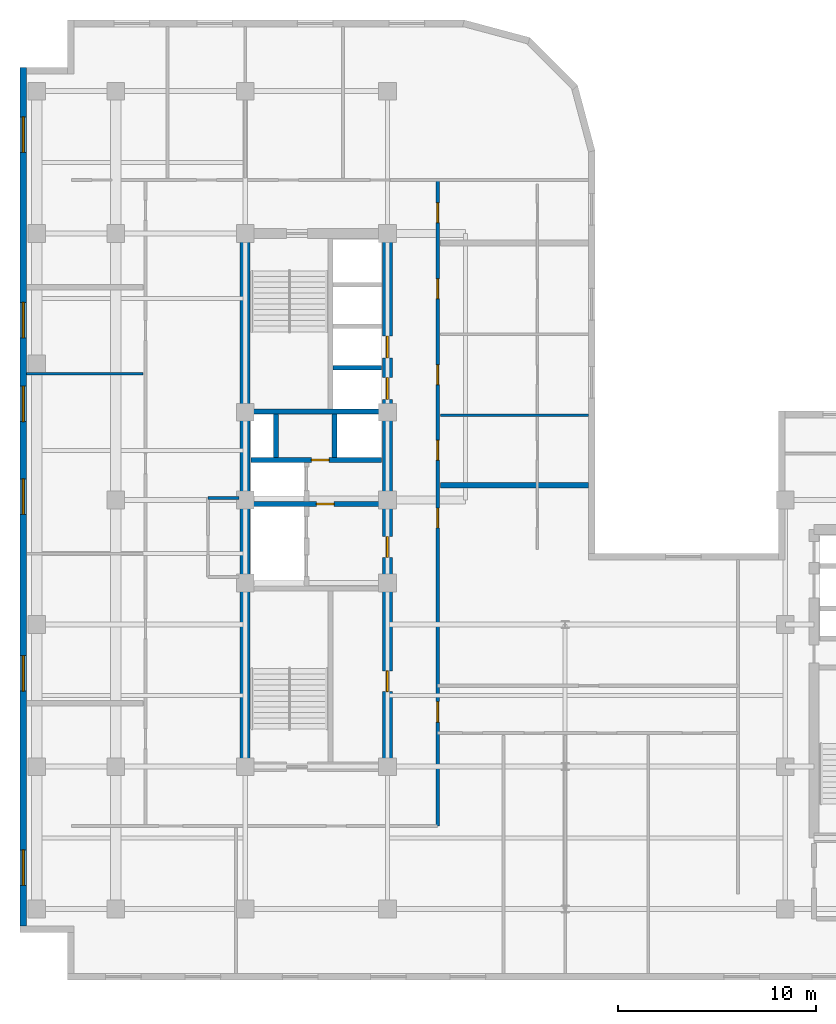
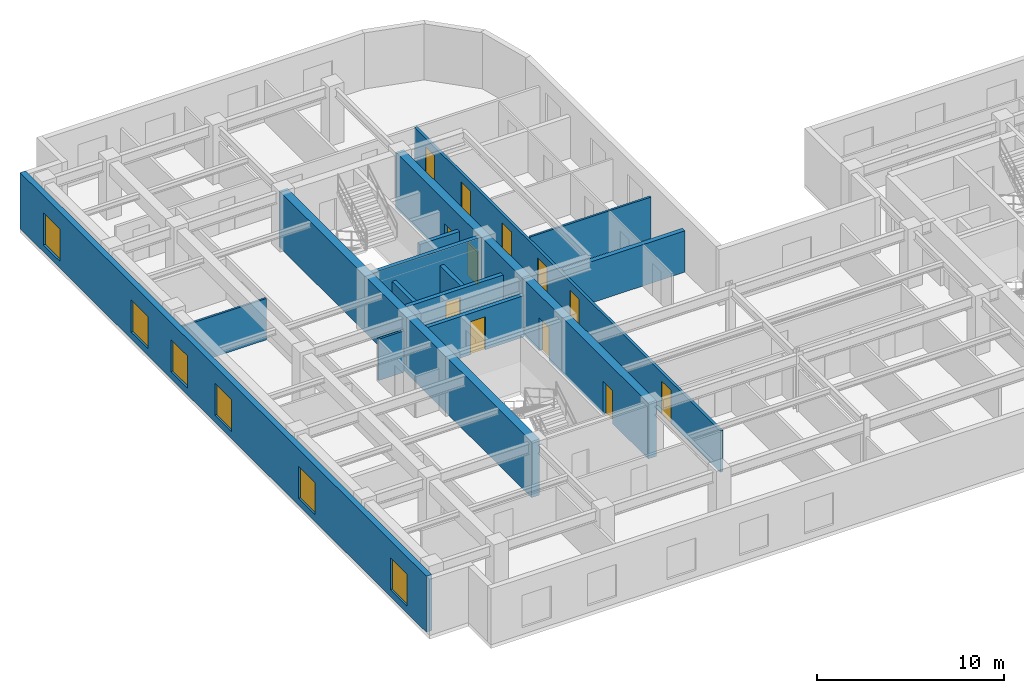
# One storey, part 5 of 11: 15 walls, 12 doors, 6 windows, 18 openings.
"""IFC4 building model written with IfcOpenShell, lengths in metres."""

from ifc_helpers import new_model, entity, si_unit, converted_unit, direction, frame, origin_with_axes, origin_2d_with_axis, place, context, subcontext, project, spatial, polyline, rectangle, outline, extrude, material, layer, layer_set, type_object, element, fill, save


model = new_model("IFC4")

# Units and contexts
model_context = context("Model", 3, precision=1e-05, world=origin_with_axes(), true_north=direction((0.0, 1.0)))
body_context = subcontext(model_context, "Body", "Model", "MODEL_VIEW")
ifc_project = project(units=[si_unit("LENGTHUNIT", "METRE"), si_unit("AREAUNIT", "SQUARE_METRE"), si_unit("VOLUMEUNIT", "CUBIC_METRE"), converted_unit("PLANEANGLEUNIT", "DEGREE", entity("IfcPlaneAngleMeasure", 0.017453292519943295), si_unit("PLANEANGLEUNIT", "RADIAN"), dimensions=[0, 0, 0, 0, 0, 0, 0]), si_unit("MASSUNIT", "GRAM", prefix="KILO"), si_unit("THERMODYNAMICTEMPERATUREUNIT", "KELVIN")], contexts=[model_context])

# Site, building, storey
site_placement = place(None, origin_with_axes())
site = spatial("IfcSite", under=ifc_project, at=site_placement, CompositionType="ELEMENT")
building_placement = place(site_placement, origin_with_axes())
building = spatial("IfcBuilding", under=site, at=building_placement, Name="Varnlund Millrace Tower", CompositionType="ELEMENT")
storey_placement = place(building_placement, frame((0.0, 0.0, 200.4), z_axis=(0.0, 0.0, 1.0), x_axis=(1.0, 0.0, 0.0)))
storey = spatial("IfcBuildingStorey", under=building, at=storey_placement, Name="L49", CompositionType="ELEMENT", Elevation=200.4)

# Wall
ifc_material_1 = material(Name="Concrete C70/85", Category="concrete")
ifc_layer_1 = layer(ifc_material_1, 0.5, Name="Concrete C70/85")
ifc_layer_set_1 = layer_set([ifc_layer_1], Name="Concrete C70/85")
wall_type_1 = type_object("IfcWallType", Name="Type-CoreWall-Shear-500-C70", PredefinedType="SHEAR", material=ifc_layer_set_1)
wall_1_placement = place(storey_placement, frame((11.4, 10.8, 0.0), z_axis=(0.0, 0.0, 1.0), x_axis=(0.0, 1.0, 0.0)))
element("IfcWall", 1, at=wall_1_placement, inside=storey, type_object=wall_type_1, Name="Type-CoreWall-Shear-500-C70", PredefinedType="SHEAR", context=body_context, shape_type="SweptSolid", body=[
    extrude(outline(polyline([(0.0, -0.25), (27.0, -0.25), (27.0, 0.25), (0.0, 0.25), (0.0, -0.25)])), origin_with_axes(), (0.0, 0.0, 1.0), 3.66),
])

# Wall, openings, doors
wall_2_placement = place(storey_placement, frame((18.6, 10.8, 0.0), z_axis=(0.0, 0.0, 1.0), x_axis=(0.0, 1.0, 0.0)))
wall_2 = element("IfcWall", 2, at=wall_2_placement, inside=storey, type_object=wall_type_1, Name="Type-CoreWall-Shear-500-C70", PredefinedType="SHEAR", context=body_context, shape_type="SweptSolid", body=[
    extrude(outline(polyline([(0.0, -0.25), (13.5, -0.25), (13.5, 0.25), (0.0, 0.25), (0.0, -0.25)])), origin_with_axes(), (0.0, 0.0, 1.0), 3.66),
])
opening_1_placement = place(wall_2_placement, frame((11.125, 0.0, 0.0), z_axis=(0.0, 0.0, 1.0), x_axis=(1.0, 0.0, 0.0)))
opening_1 = element("IfcOpeningElement", 3, at=opening_1_placement, cuts=wall_2, Name="Opening L49:DR-FFLOB-A", PredefinedType="OPENING", context=body_context, shape_type="SweptSolid", body=[
    extrude(rectangle(XDim=1.05, YDim=0.52, at=origin_2d_with_axis()), origin_with_axes(), (0.0, 0.0, 1.0), 2.15),
])
opening_2_placement = place(wall_2_placement, frame((4.325, 0.0, 0.0), z_axis=(0.0, 0.0, 1.0), x_axis=(1.0, 0.0, 0.0)))
opening_2 = element("IfcOpeningElement", 4, at=opening_2_placement, cuts=wall_2, Name="Opening L49:DR-RECL-A1", PredefinedType="OPENING", context=body_context, shape_type="SweptSolid", body=[
    extrude(rectangle(XDim=1.05, YDim=0.52, at=origin_2d_with_axis()), origin_with_axes(), (0.0, 0.0, 1.0), 2.15),
])
ifc_material_2 = material(Name="Smoke-barrier hollow steel fire door", Category="steel")
door_type_1 = type_object("IfcDoorType", Name="Type-FireDoor-Lobby-1050X2150", OperationType="NOTDEFINED", PredefinedType="DOOR", material=ifc_material_2)
door_1_placement = place(wall_2_placement, frame((11.125, 0.0, 0.0), z_axis=(0.0, 0.0, 1.0), x_axis=(1.0, 0.0, 0.0)))
door_1 = element("IfcDoor", 5, at=door_1_placement, inside=storey, type_object=door_type_1, Name="Type-FireDoor-Lobby-1050X2150", OperationType="SINGLE_SWING_LEFT", OverallHeight=2.15, OverallWidth=1.05, PredefinedType="DOOR", context=body_context, shape_type="SweptSolid", body=[
    extrude(rectangle(XDim=1.05, YDim=0.09, at=origin_2d_with_axis()), origin_with_axes(), (0.0, 0.0, 1.0), 2.15),
])
fill(opening_1, door_1)
door_2_placement = place(wall_2_placement, frame((4.325, 0.0, 0.0), z_axis=(0.0, 0.0, 1.0), x_axis=(1.0, 0.0, 0.0)))
door_2 = element("IfcDoor", 6, at=door_2_placement, inside=storey, type_object=door_type_1, Name="Type-FireDoor-Lobby-1050X2150", OperationType="SINGLE_SWING_LEFT", OverallHeight=2.15, OverallWidth=1.05, PredefinedType="DOOR", context=body_context, shape_type="SweptSolid", body=[
    extrude(rectangle(XDim=1.05, YDim=0.09, at=origin_2d_with_axis()), origin_with_axes(), (0.0, 0.0, 1.0), 2.15),
])
fill(opening_2, door_2)

wall_3_placement = place(storey_placement, frame((18.6, 24.3, 0.0), z_axis=(0.0, 0.0, 1.0), x_axis=(0.0, 1.0, 0.0)))
wall_3 = element("IfcWall", 7, at=wall_3_placement, inside=storey, type_object=wall_type_1, Name="Type-CoreWall-Shear-500-C70", PredefinedType="SHEAR", context=body_context, shape_type="SweptSolid", body=[
    extrude(outline(polyline([(0.0, -0.25), (13.5, -0.25), (13.5, 0.25), (0.0, 0.25), (0.0, -0.25)])), origin_with_axes(), (0.0, 0.0, 1.0), 3.66),
])
opening_3_placement = place(wall_3_placement, frame((5.65, 0.0, 0.0), z_axis=(0.0, 0.0, 1.0), x_axis=(1.0, 0.0, 0.0)))
opening_3 = element("IfcOpeningElement", 8, at=opening_3_placement, cuts=wall_3, Name="Opening L49:LD-ELV-M1", PredefinedType="OPENING", context=body_context, shape_type="SweptSolid", body=[
    extrude(rectangle(XDim=1.1, YDim=0.52, at=origin_2d_with_axis()), origin_with_axes(), (0.0, 0.0, 1.0), 2.15),
])
opening_4_placement = place(wall_3_placement, frame((7.75, 0.0, 0.0), z_axis=(0.0, 0.0, 1.0), x_axis=(1.0, 0.0, 0.0)))
opening_4 = element("IfcOpeningElement", 9, at=opening_4_placement, cuts=wall_3, Name="Opening L49:LD-ELV-M2", PredefinedType="OPENING", context=body_context, shape_type="SweptSolid", body=[
    extrude(rectangle(XDim=1.1, YDim=0.52, at=origin_2d_with_axis()), origin_with_axes(), (0.0, 0.0, 1.0), 2.15),
])
ifc_material_3 = material(Name="Stainless and architectural bronze sliding landing door")
door_type_2 = type_object("IfcDoorType", Name="Type-LiftLandingDoor-1100X2150", OperationType="NOTDEFINED", PredefinedType="DOOR", material=ifc_material_3)
door_3_placement = place(wall_3_placement, frame((5.65, 0.0, 0.0), z_axis=(0.0, 0.0, 1.0), x_axis=(1.0, 0.0, 0.0)))
door_3 = element("IfcDoor", 10, at=door_3_placement, inside=storey, type_object=door_type_2, Name="Type-LiftLandingDoor-1100X2150", OperationType="SLIDING_TO_LEFT", OverallHeight=2.15, OverallWidth=1.1, PredefinedType="DOOR", context=body_context, shape_type="SweptSolid", body=[
    extrude(rectangle(XDim=1.1, YDim=0.09, at=origin_2d_with_axis()), origin_with_axes(), (0.0, 0.0, 1.0), 2.15),
])
fill(opening_3, door_3)
door_4_placement = place(wall_3_placement, frame((7.75, 0.0, 0.0), z_axis=(0.0, 0.0, 1.0), x_axis=(1.0, 0.0, 0.0)))
door_4 = element("IfcDoor", 11, at=door_4_placement, inside=storey, type_object=door_type_2, Name="Type-LiftLandingDoor-1100X2150", OperationType="SLIDING_TO_RIGHT", OverallHeight=2.15, OverallWidth=1.1, PredefinedType="DOOR", context=body_context, shape_type="SweptSolid", body=[
    extrude(rectangle(XDim=1.1, YDim=0.09, at=origin_2d_with_axis()), origin_with_axes(), (0.0, 0.0, 1.0), 2.15),
])
fill(opening_4, door_4)

# Wall, openings, windows
ifc_material_4 = material(Name="Precast concrete C50/60", Category="concrete")
ifc_layer_2 = layer(ifc_material_4, 0.34, Name="Precast concrete C50/60")
ifc_layer_set_2 = layer_set([ifc_layer_2], Name="Precast concrete C50/60")
wall_type_2 = type_object("IfcWallType", Name="Type-ExtWall-Precast-Upper-340", PredefinedType="SOLIDWALL", material=ifc_layer_set_2)
wall_4_placement = place(storey_placement, frame((0.17, 2.74, 0.0), z_axis=(0.0, 0.0, 1.0), x_axis=(0.0, 1.0, 0.0)))
wall_4 = element("IfcWall", 12, at=wall_4_placement, inside=storey, type_object=wall_type_2, Name="Type-ExtWall-Precast-Upper-340", PredefinedType="SOLIDWALL", context=body_context, shape_type="SweptSolid", body=[
    extrude(outline(polyline([(0.0, -0.17), (43.46, -0.17), (43.46, 0.17), (0.0, 0.17), (0.0, -0.17)])), origin_with_axes(), (0.0, 0.0, 1.0), 3.66),
])
opening_5_placement = place(wall_4_placement, frame((2.948, 0.0, 0.45), z_axis=(0.0, 0.0, 1.0), x_axis=(1.0, 0.0, 0.0)))
opening_5 = element("IfcOpeningElement", 13, at=opening_5_placement, cuts=wall_4, Name="Opening L49:WN-16", PredefinedType="OPENING", context=body_context, shape_type="SweptSolid", body=[
    extrude(rectangle(XDim=1.8, YDim=0.36, at=origin_2d_with_axis()), origin_with_axes(), (0.0, 0.0, 1.0), 2.1),
])
opening_6_placement = place(wall_4_placement, frame((12.789, 0.0, 0.45), z_axis=(0.0, 0.0, 1.0), x_axis=(1.0, 0.0, 0.0)))
opening_6 = element("IfcOpeningElement", 14, at=opening_6_placement, cuts=wall_4, Name="Opening L49:WN-17", PredefinedType="OPENING", context=body_context, shape_type="SweptSolid", body=[
    extrude(rectangle(XDim=1.8, YDim=0.36, at=origin_2d_with_axis()), origin_with_axes(), (0.0, 0.0, 1.0), 2.1),
])
opening_7_placement = place(wall_4_placement, frame((21.73, 0.0, 0.45), z_axis=(0.0, 0.0, 1.0), x_axis=(1.0, 0.0, 0.0)))
opening_7 = element("IfcOpeningElement", 15, at=opening_7_placement, cuts=wall_4, Name="Opening L49:WN-18", PredefinedType="OPENING", context=body_context, shape_type="SweptSolid", body=[
    extrude(rectangle(XDim=1.8, YDim=0.36, at=origin_2d_with_axis()), origin_with_axes(), (0.0, 0.0, 1.0), 2.1),
])
opening_8_placement = place(wall_4_placement, frame((26.426, 0.0, 0.45), z_axis=(0.0, 0.0, 1.0), x_axis=(1.0, 0.0, 0.0)))
opening_8 = element("IfcOpeningElement", 16, at=opening_8_placement, cuts=wall_4, Name="Opening L49:WN-19", PredefinedType="OPENING", context=body_context, shape_type="SweptSolid", body=[
    extrude(rectangle(XDim=1.8, YDim=0.36, at=origin_2d_with_axis()), origin_with_axes(), (0.0, 0.0, 1.0), 2.1),
])
opening_9_placement = place(wall_4_placement, frame((30.671, 0.0, 0.45), z_axis=(0.0, 0.0, 1.0), x_axis=(1.0, 0.0, 0.0)))
opening_9 = element("IfcOpeningElement", 17, at=opening_9_placement, cuts=wall_4, Name="Opening L49:WN-20", PredefinedType="OPENING", context=body_context, shape_type="SweptSolid", body=[
    extrude(rectangle(XDim=1.8, YDim=0.36, at=origin_2d_with_axis()), origin_with_axes(), (0.0, 0.0, 1.0), 2.1),
])
opening_10_placement = place(wall_4_placement, frame((40.062, 0.0, 0.45), z_axis=(0.0, 0.0, 1.0), x_axis=(1.0, 0.0, 0.0)))
opening_10 = element("IfcOpeningElement", 18, at=opening_10_placement, cuts=wall_4, Name="Opening L49:WN-21", PredefinedType="OPENING", context=body_context, shape_type="SweptSolid", body=[
    extrude(rectangle(XDim=1.8, YDim=0.36, at=origin_2d_with_axis()), origin_with_axes(), (0.0, 0.0, 1.0), 2.1),
])
ifc_material_5 = material(Name="Argon low-e triple glazing in thermally broken bronze frame", Category="glass")
window_type = type_object("IfcWindowType", Name="Type-Window-Punched-1800X2100", PartitioningType="SINGLE_PANEL", PredefinedType="WINDOW", material=ifc_material_5)
window_1_placement = place(wall_4_placement, frame((2.948, 0.0, 0.45), z_axis=(0.0, 0.0, 1.0), x_axis=(1.0, 0.0, 0.0)))
window_1 = element("IfcWindow", 19, at=window_1_placement, inside=storey, type_object=window_type, Name="Type-Window-Punched-1800X2100", OverallHeight=2.1, OverallWidth=1.8, PredefinedType="WINDOW", context=body_context, shape_type="SweptSolid", body=[
    extrude(rectangle(XDim=1.8, YDim=0.09, at=origin_2d_with_axis()), origin_with_axes(), (0.0, 0.0, 1.0), 2.1),
])
fill(opening_5, window_1)
window_2_placement = place(wall_4_placement, frame((12.789, 0.0, 0.45), z_axis=(0.0, 0.0, 1.0), x_axis=(1.0, 0.0, 0.0)))
window_2 = element("IfcWindow", 20, at=window_2_placement, inside=storey, type_object=window_type, Name="Type-Window-Punched-1800X2100", OverallHeight=2.1, OverallWidth=1.8, PredefinedType="WINDOW", context=body_context, shape_type="SweptSolid", body=[
    extrude(rectangle(XDim=1.8, YDim=0.09, at=origin_2d_with_axis()), origin_with_axes(), (0.0, 0.0, 1.0), 2.1),
])
fill(opening_6, window_2)
window_3_placement = place(wall_4_placement, frame((21.73, 0.0, 0.45), z_axis=(0.0, 0.0, 1.0), x_axis=(1.0, 0.0, 0.0)))
window_3 = element("IfcWindow", 21, at=window_3_placement, inside=storey, type_object=window_type, Name="Type-Window-Punched-1800X2100", OverallHeight=2.1, OverallWidth=1.8, PredefinedType="WINDOW", context=body_context, shape_type="SweptSolid", body=[
    extrude(rectangle(XDim=1.8, YDim=0.09, at=origin_2d_with_axis()), origin_with_axes(), (0.0, 0.0, 1.0), 2.1),
])
fill(opening_7, window_3)
window_4_placement = place(wall_4_placement, frame((26.426, 0.0, 0.45), z_axis=(0.0, 0.0, 1.0), x_axis=(1.0, 0.0, 0.0)))
window_4 = element("IfcWindow", 22, at=window_4_placement, inside=storey, type_object=window_type, Name="Type-Window-Punched-1800X2100", OverallHeight=2.1, OverallWidth=1.8, PredefinedType="WINDOW", context=body_context, shape_type="SweptSolid", body=[
    extrude(rectangle(XDim=1.8, YDim=0.09, at=origin_2d_with_axis()), origin_with_axes(), (0.0, 0.0, 1.0), 2.1),
])
fill(opening_8, window_4)
window_5_placement = place(wall_4_placement, frame((30.671, 0.0, 0.45), z_axis=(0.0, 0.0, 1.0), x_axis=(1.0, 0.0, 0.0)))
window_5 = element("IfcWindow", 23, at=window_5_placement, inside=storey, type_object=window_type, Name="Type-Window-Punched-1800X2100", OverallHeight=2.1, OverallWidth=1.8, PredefinedType="WINDOW", context=body_context, shape_type="SweptSolid", body=[
    extrude(rectangle(XDim=1.8, YDim=0.09, at=origin_2d_with_axis()), origin_with_axes(), (0.0, 0.0, 1.0), 2.1),
])
fill(opening_9, window_5)
window_6_placement = place(wall_4_placement, frame((40.062, 0.0, 0.45), z_axis=(0.0, 0.0, 1.0), x_axis=(1.0, 0.0, 0.0)))
window_6 = element("IfcWindow", 24, at=window_6_placement, inside=storey, type_object=window_type, Name="Type-Window-Punched-1800X2100", OverallHeight=2.1, OverallWidth=1.8, PredefinedType="WINDOW", context=body_context, shape_type="SweptSolid", body=[
    extrude(rectangle(XDim=1.8, YDim=0.09, at=origin_2d_with_axis()), origin_with_axes(), (0.0, 0.0, 1.0), 2.1),
])
fill(opening_10, window_6)

# Wall
ifc_material_6 = material(Name="Double-stud STC-60 conference acoustic partition", Category="gypsum")
ifc_layer_3 = layer(ifc_material_6, 0.28, Name="Double-stud STC-60 conference acoustic partition")
ifc_layer_set_3 = layer_set([ifc_layer_3], Name="Double-stud STC-60 conference acoustic partition")
wall_type_3 = type_object("IfcWallType", Name="Type-Partition-Acoustic-280", PredefinedType="PARTITIONING", material=ifc_layer_set_3)
wall_5_placement = place(storey_placement, frame((21.3, 25.049, 0.0), z_axis=(0.0, 0.0, 1.0), x_axis=(1.0, 0.0, 0.0)))
element("IfcWall", 25, at=wall_5_placement, inside=storey, type_object=wall_type_3, Name="Type-Partition-Acoustic-280", PredefinedType="PARTITIONING", context=body_context, shape_type="SweptSolid", body=[
    extrude(outline(polyline([(0.0, -0.14), (7.477, -0.14), (7.477, 0.14), (0.0, 0.14), (0.0, -0.14)])), origin_with_axes(), (0.0, 0.0, 1.0), 2.7),
])

# Wall, openings, doors
ifc_material_7 = material(Name="Fire-rated gypsum board on cold-formed steel framing", Category="steel")
ifc_layer_4 = layer(ifc_material_7, 0.16, Name="Fire-rated gypsum board on cold-formed steel framing")
ifc_layer_set_4 = layer_set([ifc_layer_4], Name="Fire-rated gypsum board on cold-formed steel framing")
wall_type_4 = type_object("IfcWallType", Name="Type-Partition-Corridor-160", PredefinedType="PARTITIONING", material=ifc_layer_set_4)
wall_6_placement = place(storey_placement, frame((21.15, 7.8, 0.0), z_axis=(0.0, 0.0, 1.0), x_axis=(0.0, 1.0, 0.0)))
wall_6 = element("IfcWall", 26, at=wall_6_placement, inside=storey, type_object=wall_type_4, Name="Type-Partition-Corridor-160", PredefinedType="PARTITIONING", context=body_context, shape_type="SweptSolid", body=[
    extrude(outline(polyline([(0.0, -0.08), (32.7, -0.08), (32.7, 0.08), (0.0, 0.08), (0.0, -0.08)])), origin_with_axes(), (0.0, 0.0, 1.0), 2.7),
])
opening_11_placement = place(wall_6_placement, frame((15.5895, 0.0, 0.0), z_axis=(0.0, 0.0, 1.0), x_axis=(1.0, 0.0, 0.0)))
opening_11 = element("IfcOpeningElement", 27, at=opening_11_placement, cuts=wall_6, Name="Opening L49:DR-FLR-01", PredefinedType="OPENING", context=body_context, shape_type="SweptSolid", body=[
    extrude(rectangle(XDim=1.0, YDim=0.18, at=origin_2d_with_axis()), origin_with_axes(), (0.0, 0.0, 1.0), 2.15),
])
opening_12_placement = place(wall_6_placement, frame((19.026, 0.0, 0.0), z_axis=(0.0, 0.0, 1.0), x_axis=(1.0, 0.0, 0.0)))
opening_12 = element("IfcOpeningElement", 28, at=opening_12_placement, cuts=wall_6, Name="Opening L49:DR-FLR-02", PredefinedType="OPENING", context=body_context, shape_type="SweptSolid", body=[
    extrude(rectangle(XDim=1.0, YDim=0.18, at=origin_2d_with_axis()), origin_with_axes(), (0.0, 0.0, 1.0), 2.15),
])
opening_13_placement = place(wall_6_placement, frame((22.849, 0.0, 0.0), z_axis=(0.0, 0.0, 1.0), x_axis=(1.0, 0.0, 0.0)))
opening_13 = element("IfcOpeningElement", 29, at=opening_13_placement, cuts=wall_6, Name="Opening L49:DR-FLR-03", PredefinedType="OPENING", context=body_context, shape_type="SweptSolid", body=[
    extrude(rectangle(XDim=1.0, YDim=0.18, at=origin_2d_with_axis()), origin_with_axes(), (0.0, 0.0, 1.0), 2.15),
])
opening_14_placement = place(wall_6_placement, frame((27.2045, 0.0, 0.0), z_axis=(0.0, 0.0, 1.0), x_axis=(1.0, 0.0, 0.0)))
opening_14 = element("IfcOpeningElement", 30, at=opening_14_placement, cuts=wall_6, Name="Opening L49:DR-FLR-04", PredefinedType="OPENING", context=body_context, shape_type="SweptSolid", body=[
    extrude(rectangle(XDim=1.0, YDim=0.18, at=origin_2d_with_axis()), origin_with_axes(), (0.0, 0.0, 1.0), 2.15),
])
opening_15_placement = place(wall_6_placement, frame((31.042, 0.0, 0.0), z_axis=(0.0, 0.0, 1.0), x_axis=(1.0, 0.0, 0.0)))
opening_15 = element("IfcOpeningElement", 31, at=opening_15_placement, cuts=wall_6, Name="Opening L49:DR-FLR-05", PredefinedType="OPENING", context=body_context, shape_type="SweptSolid", body=[
    extrude(rectangle(XDim=1.0, YDim=0.18, at=origin_2d_with_axis()), origin_with_axes(), (0.0, 0.0, 1.0), 2.15),
])
opening_16_placement = place(wall_6_placement, frame((5.775, 0.0, 0.0), z_axis=(0.0, 0.0, 1.0), x_axis=(1.0, 0.0, 0.0)))
opening_16 = element("IfcOpeningElement", 32, at=opening_16_placement, cuts=wall_6, Name="Opening L49:DR-KN-W", PredefinedType="OPENING", context=body_context, shape_type="SweptSolid", body=[
    extrude(rectangle(XDim=1.05, YDim=0.18, at=origin_2d_with_axis()), origin_with_axes(), (0.0, 0.0, 1.0), 2.15),
])
door_5_placement = place(wall_6_placement, frame((5.775, 0.0, 0.0), z_axis=(0.0, 0.0, 1.0), x_axis=(1.0, 0.0, 0.0)))
door_5 = element("IfcDoor", 33, at=door_5_placement, inside=storey, type_object=door_type_1, Name="Type-FireDoor-Lobby-1050X2150", OperationType="SINGLE_SWING_LEFT", OverallHeight=2.15, OverallWidth=1.05, PredefinedType="DOOR", context=body_context, shape_type="SweptSolid", body=[
    extrude(rectangle(XDim=1.05, YDim=0.09, at=origin_2d_with_axis()), origin_with_axes(), (0.0, 0.0, 1.0), 2.15),
])
fill(opening_16, door_5)
ifc_material_8 = material(Name="Solid-core white oak and bronze frame door")
door_type_3 = type_object("IfcDoorType", Name="Type-IntDoor-Office-1000X2150", OperationType="NOTDEFINED", PredefinedType="DOOR", material=ifc_material_8)
door_6_placement = place(wall_6_placement, frame((15.5895, 0.0, 0.0), z_axis=(0.0, 0.0, 1.0), x_axis=(1.0, 0.0, 0.0)))
door_6 = element("IfcDoor", 34, at=door_6_placement, inside=storey, type_object=door_type_3, Name="Type-IntDoor-Office-1000X2150", OperationType="SINGLE_SWING_LEFT", OverallHeight=2.15, OverallWidth=1.0, PredefinedType="DOOR", context=body_context, shape_type="SweptSolid", body=[
    extrude(rectangle(XDim=1.0, YDim=0.09, at=origin_2d_with_axis()), origin_with_axes(), (0.0, 0.0, 1.0), 2.15),
])
fill(opening_11, door_6)
door_7_placement = place(wall_6_placement, frame((19.026, 0.0, 0.0), z_axis=(0.0, 0.0, 1.0), x_axis=(1.0, 0.0, 0.0)))
door_7 = element("IfcDoor", 35, at=door_7_placement, inside=storey, type_object=door_type_3, Name="Type-IntDoor-Office-1000X2150", OperationType="SINGLE_SWING_RIGHT", OverallHeight=2.15, OverallWidth=1.0, PredefinedType="DOOR", context=body_context, shape_type="SweptSolid", body=[
    extrude(rectangle(XDim=1.0, YDim=0.09, at=origin_2d_with_axis()), origin_with_axes(), (0.0, 0.0, 1.0), 2.15),
])
fill(opening_12, door_7)
door_8_placement = place(wall_6_placement, frame((22.849, 0.0, 0.0), z_axis=(0.0, 0.0, 1.0), x_axis=(1.0, 0.0, 0.0)))
door_8 = element("IfcDoor", 36, at=door_8_placement, inside=storey, type_object=door_type_3, Name="Type-IntDoor-Office-1000X2150", OperationType="SINGLE_SWING_LEFT", OverallHeight=2.15, OverallWidth=1.0, PredefinedType="DOOR", context=body_context, shape_type="SweptSolid", body=[
    extrude(rectangle(XDim=1.0, YDim=0.09, at=origin_2d_with_axis()), origin_with_axes(), (0.0, 0.0, 1.0), 2.15),
])
fill(opening_13, door_8)
door_9_placement = place(wall_6_placement, frame((27.2045, 0.0, 0.0), z_axis=(0.0, 0.0, 1.0), x_axis=(1.0, 0.0, 0.0)))
door_9 = element("IfcDoor", 37, at=door_9_placement, inside=storey, type_object=door_type_3, Name="Type-IntDoor-Office-1000X2150", OperationType="SINGLE_SWING_RIGHT", OverallHeight=2.15, OverallWidth=1.0, PredefinedType="DOOR", context=body_context, shape_type="SweptSolid", body=[
    extrude(rectangle(XDim=1.0, YDim=0.09, at=origin_2d_with_axis()), origin_with_axes(), (0.0, 0.0, 1.0), 2.15),
])
fill(opening_14, door_9)
door_10_placement = place(wall_6_placement, frame((31.042, 0.0, 0.0), z_axis=(0.0, 0.0, 1.0), x_axis=(1.0, 0.0, 0.0)))
door_10 = element("IfcDoor", 38, at=door_10_placement, inside=storey, type_object=door_type_3, Name="Type-IntDoor-Office-1000X2150", OperationType="SINGLE_SWING_LEFT", OverallHeight=2.15, OverallWidth=1.0, PredefinedType="DOOR", context=body_context, shape_type="SweptSolid", body=[
    extrude(rectangle(XDim=1.0, YDim=0.09, at=origin_2d_with_axis()), origin_with_axes(), (0.0, 0.0, 1.0), 2.15),
])
fill(opening_15, door_10)

# Walls
ifc_material_9 = material(Name="Gypsum board tenant partition", Category="gypsum")
ifc_layer_5 = layer(ifc_material_9, 0.125, Name="Gypsum board tenant partition")
ifc_layer_set_5 = layer_set([ifc_layer_5], Name="Gypsum board tenant partition")
wall_type_5 = type_object("IfcWallType", Name="Type-Partition-Tenant-125", PredefinedType="PARTITIONING", material=ifc_layer_set_5)
wall_7_placement = place(storey_placement, frame((0.335, 30.692, 0.0), z_axis=(0.0, 0.0, 1.0), x_axis=(1.0, 0.0, 0.0)))
element("IfcWall", 39, at=wall_7_placement, inside=storey, type_object=wall_type_5, Name="Type-Partition-Tenant-125", PredefinedType="PARTITIONING", context=body_context, shape_type="SweptSolid", body=[
    extrude(outline(polyline([(0.0, -0.0625), (5.895, -0.0625), (5.895, 0.0625), (0.0, 0.0625), (0.0, -0.0625)])), origin_with_axes(), (0.0, 0.0, 1.0), 2.7),
])
wall_8_placement = place(storey_placement, frame((21.3, 28.603, 0.0), z_axis=(0.0, 0.0, 1.0), x_axis=(1.0, 0.0, 0.0)))
element("IfcWall", 40, at=wall_8_placement, inside=storey, type_object=wall_type_5, Name="Type-Partition-Tenant-125", PredefinedType="PARTITIONING", context=body_context, shape_type="SweptSolid", body=[
    extrude(outline(polyline([(0.0, -0.0625), (7.477, -0.0625), (7.477, 0.0625), (0.0, 0.0625), (0.0, -0.0625)])), origin_with_axes(), (0.0, 0.0, 1.0), 2.7),
])
ifc_material_10 = material(Name="Moisture-resistant gypsum restroom partition", Category="gypsum")
ifc_layer_6 = layer(ifc_material_10, 0.14, Name="Moisture-resistant gypsum restroom partition")
ifc_layer_set_6 = layer_set([ifc_layer_6], Name="Moisture-resistant gypsum restroom partition")
wall_type_6 = type_object("IfcWallType", Name="Type-Partition-Wet-140", PredefinedType="PARTITIONING", material=ifc_layer_set_6)
wall_9_placement = place(storey_placement, frame((9.52, 24.4, 0.0), z_axis=(0.0, 0.0, 1.0), x_axis=(1.0, 0.0, 0.0)))
element("IfcWall", 41, at=wall_9_placement, inside=storey, type_object=wall_type_6, Name="Type-Partition-Wet-140", PredefinedType="PARTITIONING", context=body_context, shape_type="SweptSolid", body=[
    extrude(outline(polyline([(0.0, -0.07), (1.58, -0.07), (1.58, 0.07), (0.0, 0.07), (0.0, -0.07)])), origin_with_axes(), (0.0, 0.0, 1.0), 2.7),
])

# Wall, opening, door
ifc_material_11 = material(Name="Concrete C60/75", Category="concrete")
ifc_layer_7 = layer(ifc_material_11, 0.25, Name="Concrete C60/75")
ifc_layer_set_7 = layer_set([ifc_layer_7], Name="Concrete C60/75")
wall_type_7 = type_object("IfcWallType", Name="Type-ShaftWall-Fire-250", PredefinedType="SOLIDWALL", material=ifc_layer_set_7)
wall_10_placement = place(storey_placement, frame((11.7, 24.1, 0.0), z_axis=(0.0, 0.0, 1.0), x_axis=(1.0, 0.0, 0.0)))
wall_10 = element("IfcWall", 42, at=wall_10_placement, inside=storey, type_object=wall_type_7, Name="Type-ShaftWall-Fire-250", PredefinedType="SOLIDWALL", context=body_context, shape_type="SweptSolid", body=[
    extrude(outline(polyline([(0.0, -0.125), (6.6, -0.125), (6.6, 0.125), (0.0, 0.125), (0.0, -0.125)])), origin_with_axes(), (0.0, 0.0, 1.0), 2.7),
])
opening_17_placement = place(wall_10_placement, frame((3.75, 0.0, 0.0), z_axis=(0.0, 0.0, 1.0), x_axis=(1.0, 0.0, 0.0)))
opening_17 = element("IfcOpeningElement", 43, at=opening_17_placement, cuts=wall_10, Name="Opening L49:DR-CA-SRV1", PredefinedType="OPENING", context=body_context, shape_type="SweptSolid", body=[
    extrude(rectangle(XDim=0.9, YDim=0.27, at=origin_2d_with_axis()), origin_with_axes(), (0.0, 0.0, 1.0), 2.15),
])
ifc_material_12 = material(Name="Fire-rated hollow steel service closet door", Category="steel")
door_type_4 = type_object("IfcDoorType", Name="Type-FireDoor-Closet-900X2150", OperationType="NOTDEFINED", PredefinedType="DOOR", material=ifc_material_12)
door_11_placement = place(wall_10_placement, frame((3.75, 0.0, 0.0), z_axis=(0.0, 0.0, 1.0), x_axis=(1.0, 0.0, 0.0)))
door_11 = element("IfcDoor", 44, at=door_11_placement, inside=storey, type_object=door_type_4, Name="Type-FireDoor-Closet-900X2150", OperationType="SINGLE_SWING_LEFT", OverallHeight=2.15, OverallWidth=0.9, PredefinedType="DOOR", context=body_context, shape_type="SweptSolid", body=[
    extrude(rectangle(XDim=0.9, YDim=0.09, at=origin_2d_with_axis()), origin_with_axes(), (0.0, 0.0, 1.0), 2.15),
])
fill(opening_17, door_11)

wall_11_placement = place(storey_placement, frame((11.7, 26.325, 0.0), z_axis=(0.0, 0.0, 1.0), x_axis=(1.0, 0.0, 0.0)))
wall_11 = element("IfcWall", 45, at=wall_11_placement, inside=storey, type_object=wall_type_7, Name="Type-ShaftWall-Fire-250", PredefinedType="SOLIDWALL", context=body_context, shape_type="SweptSolid", body=[
    extrude(outline(polyline([(0.0, -0.125), (6.6, -0.125), (6.6, 0.125), (0.0, 0.125), (0.0, -0.125)])), origin_with_axes(), (0.0, 0.0, 1.0), 2.7),
])
opening_18_placement = place(wall_11_placement, frame((3.5, 0.0, 0.0), z_axis=(0.0, 0.0, 1.0), x_axis=(1.0, 0.0, 0.0)))
opening_18 = element("IfcOpeningElement", 46, at=opening_18_placement, cuts=wall_11, Name="Opening L49:DR-CA-ELC", PredefinedType="OPENING", context=body_context, shape_type="SweptSolid", body=[
    extrude(rectangle(XDim=0.9, YDim=0.27, at=origin_2d_with_axis()), origin_with_axes(), (0.0, 0.0, 1.0), 2.15),
])
door_12_placement = place(wall_11_placement, frame((3.5, 0.0, 0.0), z_axis=(0.0, 0.0, 1.0), x_axis=(1.0, 0.0, 0.0)))
door_12 = element("IfcDoor", 47, at=door_12_placement, inside=storey, type_object=door_type_4, Name="Type-FireDoor-Closet-900X2150", OperationType="SINGLE_SWING_LEFT", OverallHeight=2.15, OverallWidth=0.9, PredefinedType="DOOR", context=body_context, shape_type="SweptSolid", body=[
    extrude(rectangle(XDim=0.9, YDim=0.09, at=origin_2d_with_axis()), origin_with_axes(), (0.0, 0.0, 1.0), 2.15),
])
fill(opening_18, door_12)

# Walls
for number, where, z_axis, x_axis, name in (
    (48, (12.96, 26.45, 0.0), (0.0, 0.0, 1.0), (0.0, 1.0, 0.0), "Type-ShaftWall-Fire-250"),
    (49, (15.925, 26.45, 0.0), (0.0, 0.0, 1.0), (0.0, 1.0, 0.0), "Type-ShaftWall-Fire-250"),
):
    element("IfcWall", number, at=place(storey_placement, frame(where, z_axis=z_axis, x_axis=x_axis)), inside=storey, type_object=wall_type_7, Name=name, PredefinedType="SOLIDWALL", context=body_context, shape_type="SweptSolid", body=[
        extrude(outline(polyline([(0.0, -0.125), (2.2, -0.125), (2.2, 0.125), (0.0, 0.125), (0.0, -0.125)])), origin_with_axes(), (0.0, 0.0, 1.0), 2.7),
    ])
wall_12_placement = place(storey_placement, frame((15.84, 31.0, 0.0), z_axis=(0.0, 0.0, 1.0), x_axis=(1.0, 0.0, 0.0)))
element("IfcWall", 50, at=wall_12_placement, inside=storey, type_object=wall_type_7, Name="Type-ShaftWall-Fire-250", PredefinedType="SOLIDWALL", context=body_context, shape_type="SweptSolid", body=[
    extrude(outline(polyline([(0.0, -0.125), (2.46, -0.125), (2.46, 0.125), (0.0, 0.125), (0.0, -0.125)])), origin_with_axes(), (0.0, 0.0, 1.0), 2.7),
])
wall_type_8 = type_object("IfcWallType", Name="Type-StairWall-Shear-250", PredefinedType="SHEAR", material=ifc_layer_set_7)
wall_13_placement = place(storey_placement, frame((11.65, 28.775, 0.0), z_axis=(0.0, 0.0, 1.0), x_axis=(1.0, 0.0, 0.0)))
element("IfcWall", 51, at=wall_13_placement, inside=storey, type_object=wall_type_8, Name="Type-StairWall-Shear-250", PredefinedType="SHEAR", context=body_context, shape_type="SweptSolid", body=[
    extrude(outline(polyline([(0.0, -0.125), (6.7, -0.125), (6.7, 0.125), (0.0, 0.125), (0.0, -0.125)])), origin_with_axes(), (0.0, 0.0, 1.0), 3.66),
])

save(model, "model.ifc")
